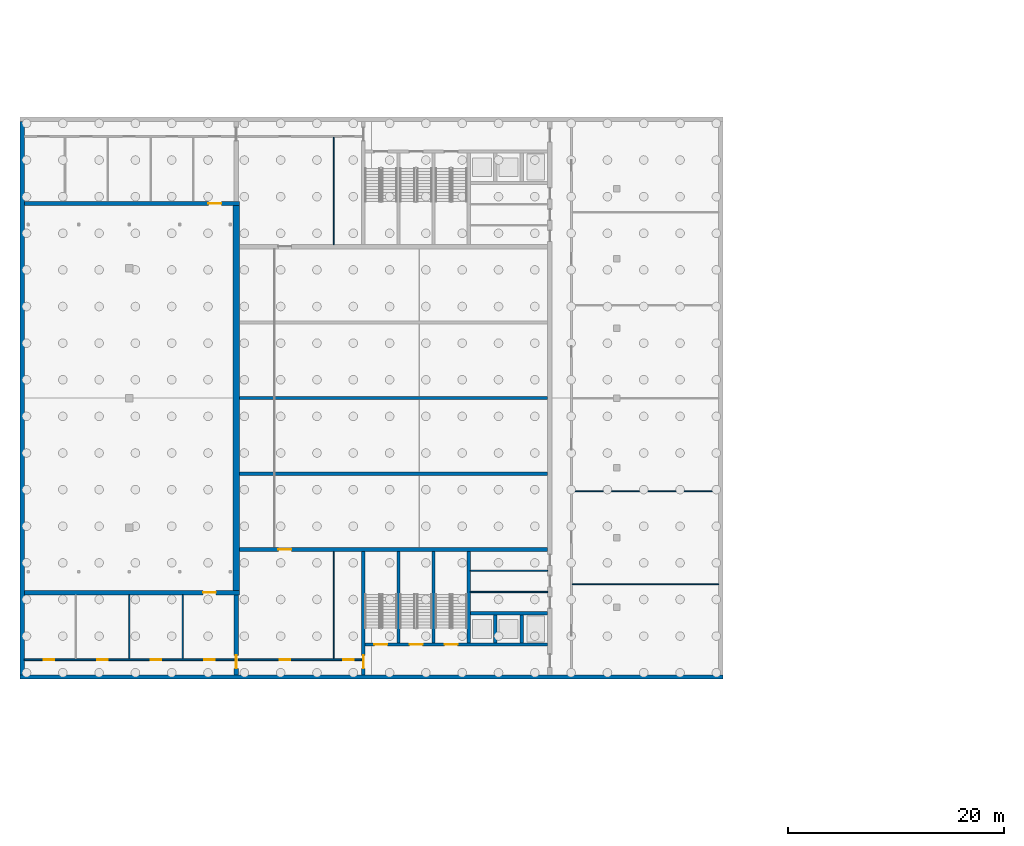
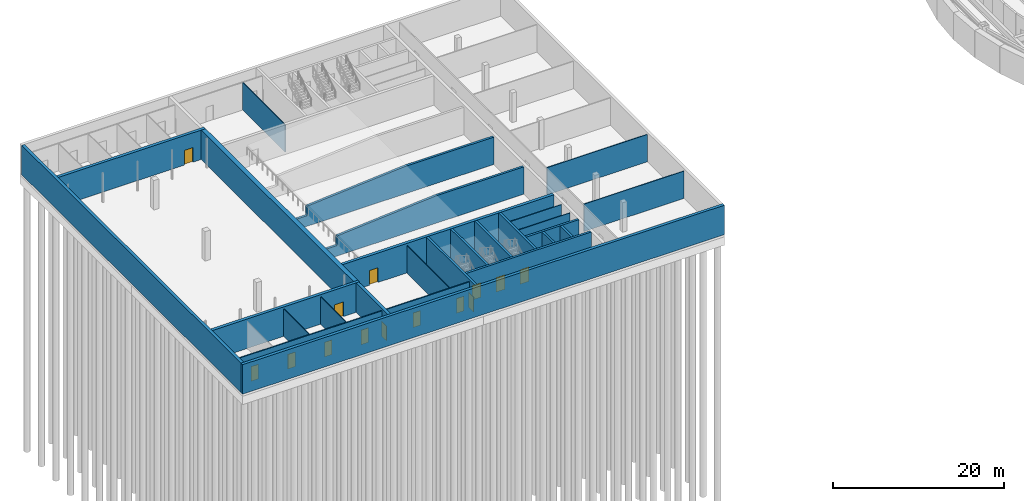
# One storey, part 11 of 32: 27 walls, 14 doors, 14 openings.
"""IFC4 building model written with IfcOpenShell, lengths in metres."""

from ifc_helpers import new_model, si_unit, direction, frame, frame_2d, origin, place, context, subcontext, project, spatial, polyline, rectangle, outline, extrude, material, layer, layer_set, type_object, element, fill, save


model = new_model("IFC4")

# Units and contexts
model_context = context("Model", 3, precision=1e-05, world=origin(), true_north=direction((0.0, 1.0)))
body_context = subcontext(model_context, "Body", "Model", "MODEL_VIEW")
ifc_project = project(units=[si_unit("LENGTHUNIT", "METRE"), si_unit("AREAUNIT", "SQUARE_METRE"), si_unit("VOLUMEUNIT", "CUBIC_METRE"), si_unit("PLANEANGLEUNIT", "RADIAN"), si_unit("MASSUNIT", "GRAM", prefix="KILO")], contexts=[model_context])

# Site, building, storey
site_placement = place(None, origin())
site = spatial("IfcSite", under=ifc_project, at=site_placement, CompositionType="ELEMENT")
building_placement = place(site_placement, origin())
building = spatial("IfcBuilding", under=site, at=building_placement, Name="Noorbagh Ring Tower", CompositionType="ELEMENT")
storey_placement = place(building_placement, frame((0.0, 0.0, -4.199951171875)))
storey = spatial("IfcBuildingStorey", under=building, at=storey_placement, Name="B1", CompositionType="ELEMENT", Elevation=-4.199951171875)

# Walls
ifc_material_1 = material(Name="Gypsum board on steel studs", Category="steel")
ifc_layer_1 = layer(ifc_material_1, 0.10009765625)
ifc_layer_set_1 = layer_set([ifc_layer_1], Name="Gypsum board on steel studs")
wall_type_1 = type_object("IfcWallType", Name="TH-PART-100", PredefinedType="PARTITIONING", material=ifc_layer_set_1)
wall_1_placement = place(storey_placement, frame((-118.35009765625, -12.93310546875, 0.0), z_axis=(0.0, 0.0, 1.0), x_axis=(1.0, 0.0, 0.0)))
element("IfcWall", 1, at=wall_1_placement, inside=storey, type_object=wall_type_1, Name="B1/th-wall/030", PredefinedType="PARTITIONING", context=body_context, shape_type="SweptSolid", body=[
    extrude(rectangle(XDim=7.150146484375, YDim=0.10009765625, at=frame_2d((3.5751953125, 0.0))), origin(), (0.0, 0.0, 1.0), 3.89990234375),
])
wall_2_placement = place(storey_placement, frame((-108.925048828125, -12.199951171875, 0.0), z_axis=(0.0, 0.0, 1.0), x_axis=(1.0, 0.0, 0.0)))
element("IfcWall", 2, at=wall_2_placement, inside=storey, type_object=wall_type_1, Name="B1/th-wall/031", PredefinedType="PARTITIONING", context=body_context, shape_type="SweptSolid", body=[
    extrude(rectangle(XDim=13.525146484375, YDim=0.10009765625, at=frame_2d((6.7626953125, 0.0))), origin(), (0.0, 0.0, 1.0), 3.89990234375),
])
wall_3_placement = place(storey_placement, frame((-118.35009765625, -10.967041015625, 0.0), z_axis=(0.0, 0.0, 1.0), x_axis=(1.0, 0.0, 0.0)))
element("IfcWall", 3, at=wall_3_placement, inside=storey, type_object=wall_type_1, Name="B1/th-wall/032", PredefinedType="PARTITIONING", context=body_context, shape_type="SweptSolid", body=[
    extrude(rectangle(XDim=7.150146484375, YDim=0.10009765625, at=frame_2d((3.5751953125, 0.0))), origin(), (0.0, 0.0, 1.0), 3.89990234375),
])
wall_4_placement = place(storey_placement, frame((-108.925048828125, -3.60009765625, 0.0), z_axis=(0.0, 0.0, 1.0), x_axis=(1.0, 0.0, 0.0)))
element("IfcWall", 4, at=wall_4_placement, inside=storey, type_object=wall_type_1, Name="B1/th-wall/033", PredefinedType="PARTITIONING", context=body_context, shape_type="SweptSolid", body=[
    extrude(rectangle(XDim=13.525146484375, YDim=0.10009765625, at=frame_2d((6.7626953125, 0.0))), origin(), (0.0, 0.0, 1.0), 3.89990234375),
])
for number, where, z_axis, x_axis, name in (
    (5, (-149.89990234375, -19.125, 0.0), (0.0, 0.0, 1.0), (0.0, 1.0, 0.0), "B1/th-wall/044"),
    (6, (-144.949951171875, -19.125, 0.0), (0.0, 0.0, 1.0), (0.0, 1.0, 0.0), "B1/th-wall/046"),
):
    element("IfcWall", number, at=place(storey_placement, frame(where, z_axis=z_axis, x_axis=x_axis)), inside=storey, type_object=wall_type_1, Name=name, PredefinedType="PARTITIONING", context=body_context, shape_type="SweptSolid", body=[
        extrude(rectangle(XDim=5.925048828125, YDim=0.10009765625, at=frame_2d((2.96240234375, 0.0))), origin(), (0.0, 0.0, 1.0), 3.89990234375),
    ])
for number, where, z_axis, x_axis, name in (
    (7, (-131.0, -19.125, 0.0), (0.0, 0.0, 1.0), (0.0, 1.0, 0.0), "B1/th-wall/048"),
    (8, (-131.0, 19.199951171875, 0.0), (0.0, 0.0, 1.0), (0.0, 1.0, 0.0), "B1/th-wall/049"),
):
    element("IfcWall", number, at=place(storey_placement, frame(where, z_axis=z_axis, x_axis=x_axis)), inside=storey, type_object=wall_type_1, Name=name, PredefinedType="PARTITIONING", context=body_context, shape_type="SweptSolid", body=[
        extrude(rectangle(XDim=9.925048828125, YDim=0.10009765625, at=frame_2d((4.96240234375, 0.0))), origin(), (0.0, 0.0, 1.0), 3.89990234375),
    ])

# Wall, openings, doors
ifc_material_2 = material(Name="Gypsum board on steel studs", Category="steel")
ifc_layer_2 = layer(ifc_material_2, 0.14990234375)
ifc_layer_set_2 = layer_set([ifc_layer_2], Name="Gypsum board on steel studs")
wall_type_2 = type_object("IfcWallType", Name="TH-PART-150", PredefinedType="PARTITIONING", material=ifc_layer_set_2)
wall_5_placement = place(storey_placement, frame((-159.60009765625, -19.199951171875, 0.0), z_axis=(0.0, 0.0, 1.0), x_axis=(1.0, 0.0, 0.0)))
wall_5 = element("IfcWall", 9, at=wall_5_placement, inside=storey, type_object=wall_type_2, Name="B1/th-wall/028", PredefinedType="PARTITIONING", context=body_context, shape_type="SweptSolid", body=[
    extrude(rectangle(XDim=19.400146484375, YDim=0.14990234375, at=frame_2d((9.7001953125, 0.0))), origin(), (0.0, 0.0, 1.0), 3.89990234375),
])
opening_1_placement = place(wall_5_placement, frame((1.77490234375, 0.0, 0.0)))
opening_1 = element("IfcOpeningElement", 10, at=opening_1_placement, cuts=wall_5, Name="Opening TB1-D01", PredefinedType="OPENING", context=body_context, shape_type="SweptSolid", body=[
    extrude(rectangle(XDim=1.0, YDim=2.10009765625, at=frame_2d((0.5, 1.050048828125))), frame((0.0, 0.0849609375, 0.0), z_axis=(0.0, -1.0, 0.0), x_axis=(1.0, 0.0, 0.0)), (0.0, 0.0, 1.0), 0.169921875),
])
opening_2_placement = place(wall_5_placement, frame((6.72509765625, 0.0, 0.0)))
opening_2 = element("IfcOpeningElement", 11, at=opening_2_placement, cuts=wall_5, Name="Opening TB1-D02", PredefinedType="OPENING", context=body_context, shape_type="SweptSolid", body=[
    extrude(rectangle(XDim=1.0, YDim=2.10009765625, at=frame_2d((0.5, 1.050048828125))), frame((0.0, 0.0849609375, 0.0), z_axis=(0.0, -1.0, 0.0), x_axis=(1.0, 0.0, 0.0)), (0.0, 0.0, 1.0), 0.169921875),
])
opening_3_placement = place(wall_5_placement, frame((11.675048828125, 0.0, 0.0)))
opening_3 = element("IfcOpeningElement", 12, at=opening_3_placement, cuts=wall_5, Name="Opening TB1-D03", PredefinedType="OPENING", context=body_context, shape_type="SweptSolid", body=[
    extrude(rectangle(XDim=1.0, YDim=2.10009765625, at=frame_2d((0.5, 1.050048828125))), frame((0.0, 0.0849609375, 0.0), z_axis=(0.0, -1.0, 0.0), x_axis=(1.0, 0.0, 0.0)), (0.0, 0.0, 1.0), 0.169921875),
])
opening_4_placement = place(wall_5_placement, frame((16.625, 0.0, 0.0)))
opening_4 = element("IfcOpeningElement", 13, at=opening_4_placement, cuts=wall_5, Name="Opening TB1-D04", PredefinedType="OPENING", context=body_context, shape_type="SweptSolid", body=[
    extrude(rectangle(XDim=1.0, YDim=2.10009765625, at=frame_2d((0.5, 1.050048828125))), frame((0.0, 0.0849609375, 0.0), z_axis=(0.0, -1.0, 0.0), x_axis=(1.0, 0.0, 0.0)), (0.0, 0.0, 1.0), 0.169921875),
])
ifc_material_3 = material(Name="Timber", Category="wood")
door_type_1 = type_object("IfcDoorType", Name="TH-DOOR-1000", OperationType="SINGLE_SWING_LEFT", PredefinedType="DOOR", material=ifc_material_3)
door_1_placement = place(opening_1_placement, origin())
door_1 = element("IfcDoor", 14, at=door_1_placement, inside=storey, type_object=door_type_1, Name="Door Corridor to Chair store TB1-D01", OperationType="SINGLE_SWING_RIGHT", OverallHeight=2.10009765625, OverallWidth=1.0, PredefinedType="DOOR", context=body_context, shape_type="SweptSolid", body=[
    extrude(rectangle(XDim=1.0, YDim=2.10009765625, at=frame_2d((0.5, 1.050048828125))), frame((0.0, 0.02490234375, 0.0), z_axis=(0.0, -1.0, 0.0), x_axis=(1.0, 0.0, 0.0)), (0.0, 0.0, 1.0), 0.050048828125),
])
fill(opening_1, door_1)
door_2_placement = place(opening_2_placement, origin())
door_2 = element("IfcDoor", 15, at=door_2_placement, inside=storey, type_object=door_type_1, Name="Door Corridor to Scenery store TB1-D02", OperationType="SINGLE_SWING_RIGHT", OverallHeight=2.10009765625, OverallWidth=1.0, PredefinedType="DOOR", context=body_context, shape_type="SweptSolid", body=[
    extrude(rectangle(XDim=1.0, YDim=2.10009765625, at=frame_2d((0.5, 1.050048828125))), frame((0.0, 0.02490234375, 0.0), z_axis=(0.0, -1.0, 0.0), x_axis=(1.0, 0.0, 0.0)), (0.0, 0.0, 1.0), 0.050048828125),
])
fill(opening_2, door_2)
door_3_placement = place(opening_3_placement, origin())
door_3 = element("IfcDoor", 16, at=door_3_placement, inside=storey, type_object=door_type_1, Name="Door Corridor to Property store TB1-D03", OperationType="SINGLE_SWING_LEFT", OverallHeight=2.10009765625, OverallWidth=1.0, PredefinedType="DOOR", context=body_context, shape_type="SweptSolid", body=[
    extrude(rectangle(XDim=1.0, YDim=2.10009765625, at=frame_2d((0.5, 1.050048828125))), frame((0.0, 0.02490234375, 0.0), z_axis=(0.0, -1.0, 0.0), x_axis=(1.0, 0.0, 0.0)), (0.0, 0.0, 1.0), 0.050048828125),
])
fill(opening_3, door_3)
ifc_material_4 = material(Name="Steel", Category="steel")
door_type_2 = type_object("IfcDoorType", Name="TH-DOOR-FIRE-1000", OperationType="SINGLE_SWING_LEFT", PredefinedType="DOOR", material=ifc_material_4)
door_4_placement = place(opening_4_placement, origin())
door_4 = element("IfcDoor", 17, at=door_4_placement, inside=storey, type_object=door_type_2, Name="Door Corridor to Understage access lobby TB1-D04", OperationType="SINGLE_SWING_LEFT", OverallHeight=2.10009765625, OverallWidth=1.0, PredefinedType="DOOR", context=body_context, shape_type="SweptSolid", body=[
    extrude(rectangle(XDim=1.0, YDim=2.10009765625, at=frame_2d((0.5, 1.050048828125))), frame((0.0, 0.02490234375, 0.0), z_axis=(0.0, -1.0, 0.0), x_axis=(1.0, 0.0, 0.0)), (0.0, 0.0, 1.0), 0.050048828125),
])
fill(opening_4, door_4)

wall_6_placement = place(storey_placement, frame((-139.800048828125, -19.199951171875, 0.0), z_axis=(0.0, 0.0, 1.0), x_axis=(1.0, 0.0, 0.0)))
wall_6 = element("IfcWall", 18, at=wall_6_placement, inside=storey, type_object=wall_type_2, Name="B1/th-wall/029", PredefinedType="PARTITIONING", context=body_context, shape_type="SweptSolid", body=[
    extrude(rectangle(XDim=11.400146484375, YDim=0.14990234375, at=frame_2d((5.7001953125, 0.0))), origin(), (0.0, 0.0, 1.0), 3.89990234375),
])
opening_5_placement = place(wall_6_placement, frame((3.800048828125, 0.0, 0.0)))
opening_5 = element("IfcOpeningElement", 19, at=opening_5_placement, cuts=wall_6, Name="Opening TB1-D05", PredefinedType="OPENING", context=body_context, shape_type="SweptSolid", body=[
    extrude(rectangle(XDim=1.0, YDim=2.10009765625, at=frame_2d((0.5, 1.050048828125))), frame((0.0, 0.0849609375, 0.0), z_axis=(0.0, -1.0, 0.0), x_axis=(1.0, 0.0, 0.0)), (0.0, 0.0, 1.0), 0.169921875),
])
opening_6_placement = place(wall_6_placement, frame((9.675048828125, 0.0, 0.0)))
opening_6 = element("IfcOpeningElement", 20, at=opening_6_placement, cuts=wall_6, Name="Opening TB1-D06", PredefinedType="OPENING", context=body_context, shape_type="SweptSolid", body=[
    extrude(rectangle(XDim=1.0, YDim=2.10009765625, at=frame_2d((0.5, 1.050048828125))), frame((0.0, 0.0849609375, 0.0), z_axis=(0.0, -1.0, 0.0), x_axis=(1.0, 0.0, 0.0)), (0.0, 0.0, 1.0), 0.169921875),
])
door_5_placement = place(opening_5_placement, origin())
door_5 = element("IfcDoor", 21, at=door_5_placement, inside=storey, type_object=door_type_2, Name="Door Corridor to Hydraulic pump room TB1-D05", OperationType="SINGLE_SWING_RIGHT", OverallHeight=2.10009765625, OverallWidth=1.0, PredefinedType="DOOR", context=body_context, shape_type="SweptSolid", body=[
    extrude(rectangle(XDim=1.0, YDim=2.10009765625, at=frame_2d((0.5, 1.050048828125))), frame((0.0, 0.02490234375, 0.0), z_axis=(0.0, -1.0, 0.0), x_axis=(1.0, 0.0, 0.0)), (0.0, 0.0, 1.0), 0.050048828125),
])
fill(opening_5, door_5)
door_6_placement = place(opening_6_placement, origin())
door_6 = element("IfcDoor", 22, at=door_6_placement, inside=storey, type_object=door_type_2, Name="Door Corridor to Switch room TB1-D06", OperationType="SINGLE_SWING_LEFT", OverallHeight=2.10009765625, OverallWidth=1.0, PredefinedType="DOOR", context=body_context, shape_type="SweptSolid", body=[
    extrude(rectangle(XDim=1.0, YDim=2.10009765625, at=frame_2d((0.5, 1.050048828125))), frame((0.0, 0.02490234375, 0.0), z_axis=(0.0, -1.0, 0.0), x_axis=(1.0, 0.0, 0.0)), (0.0, 0.0, 1.0), 0.050048828125),
])
fill(opening_6, door_6)

# Wall, opening, door
ifc_material_5 = material(Name="Concrete C50/60", Category="concrete")
ifc_layer_3 = layer(ifc_material_5, 0.300048828125)
ifc_layer_set_3 = layer_set([ifc_layer_3], Name="Concrete C50/60")
wall_type_3 = type_object("IfcWallType", Name="TH-WALL-CORE", PredefinedType="SHEAR", material=ifc_layer_set_3)
wall_7_placement = place(storey_placement, frame((-128.25, -20.60009765625, 0.0), z_axis=(0.0, 0.0, 1.0), x_axis=(0.0, 1.0, 0.0)))
wall_7 = element("IfcWall", 23, at=wall_7_placement, inside=storey, type_object=wall_type_3, Name="Core wall", PredefinedType="SHEAR", context=body_context, shape_type="SweptSolid", body=[
    extrude(rectangle(XDim=11.400146484375, YDim=0.300048828125, at=frame_2d((5.7001953125, 0.0))), origin(), (0.0, 0.0, 1.0), 4.199951171875),
])
opening_7_placement = place(wall_7_placement, frame((0.60009765625, 0.0, 0.0)))
opening_7 = element("IfcOpeningElement", 24, at=opening_7_placement, cuts=wall_7, Name="Opening TB1-D08", PredefinedType="OPENING", context=body_context, shape_type="SweptSolid", body=[
    extrude(rectangle(XDim=1.199951171875, YDim=2.10009765625, at=frame_2d((0.60009765625, 1.050048828125))), frame((0.0, 0.16015625, 0.0), z_axis=(0.0, -1.0, 0.0), x_axis=(1.0, 0.0, 0.0)), (0.0, 0.0, 1.0), 0.320068359375),
])
ifc_material_6 = material(Name="Steel", Category="steel")
door_type_3 = type_object("IfcDoorType", Name="TH-DOOR-FIRE-1200", OperationType="SINGLE_SWING_LEFT", PredefinedType="DOOR", material=ifc_material_6)
door_7_placement = place(opening_7_placement, origin())
door_7 = element("IfcDoor", 25, at=door_7_placement, inside=storey, type_object=door_type_3, Name="Door Corridor to Exit lobby TB1-D08", OperationType="SINGLE_SWING_LEFT", OverallHeight=2.10009765625, OverallWidth=1.199951171875, PredefinedType="DOOR", context=body_context, shape_type="SweptSolid", body=[
    extrude(rectangle(XDim=1.199951171875, YDim=2.10009765625, at=frame_2d((0.60009765625, 1.050048828125))), frame((0.0, 0.02490234375, 0.0), z_axis=(0.0, -1.0, 0.0), x_axis=(1.0, 0.0, 0.0)), (0.0, 0.0, 1.0), 0.050048828125),
])
fill(opening_7, door_7)

# Wall, openings, doors
wall_8_placement = place(storey_placement, frame((-128.10009765625, -17.800048828125, 0.0), z_axis=(0.0, 0.0, 1.0), x_axis=(1.0, 0.0, 0.0)))
wall_8 = element("IfcWall", 26, at=wall_8_placement, inside=storey, type_object=wall_type_3, Name="Exit lobby wall", PredefinedType="SHEAR", context=body_context, shape_type="SweptSolid", body=[
    extrude(rectangle(XDim=16.900146484375, YDim=0.300048828125, at=frame_2d((8.4501953125, 0.0))), origin(), (0.0, 0.0, 1.0), 4.199951171875),
])
opening_8_placement = place(wall_8_placement, frame((4.125, 0.0, 0.0)))
opening_8 = element("IfcOpeningElement", 27, at=opening_8_placement, cuts=wall_8, Name="Opening TB1-D09", PredefinedType="OPENING", context=body_context, shape_type="SweptSolid", body=[
    extrude(rectangle(XDim=1.199951171875, YDim=2.10009765625, at=frame_2d((0.60009765625, 1.050048828125))), frame((0.0, 0.16015625, 0.0), z_axis=(0.0, -1.0, 0.0), x_axis=(1.0, 0.0, 0.0)), (0.0, 0.0, 1.0), 0.320068359375),
])
opening_9_placement = place(wall_8_placement, frame((7.375, 0.0, 0.0)))
opening_9 = element("IfcOpeningElement", 28, at=opening_9_placement, cuts=wall_8, Name="Opening TB1-D10", PredefinedType="OPENING", context=body_context, shape_type="SweptSolid", body=[
    extrude(rectangle(XDim=1.199951171875, YDim=2.10009765625, at=frame_2d((0.60009765625, 1.050048828125))), frame((0.0, 0.16015625, 0.0), z_axis=(0.0, -1.0, 0.0), x_axis=(1.0, 0.0, 0.0)), (0.0, 0.0, 1.0), 0.320068359375),
])
opening_10_placement = place(wall_8_placement, frame((0.875, 0.0, 0.0)))
opening_10 = element("IfcOpeningElement", 29, at=opening_10_placement, cuts=wall_8, Name="Opening TB1-D11", PredefinedType="OPENING", context=body_context, shape_type="SweptSolid", body=[
    extrude(rectangle(XDim=1.199951171875, YDim=2.10009765625, at=frame_2d((0.60009765625, 1.050048828125))), frame((0.0, 0.16015625, 0.0), z_axis=(0.0, -1.0, 0.0), x_axis=(1.0, 0.0, 0.0)), (0.0, 0.0, 1.0), 0.320068359375),
])
ifc_material_7 = material(Name="Steel", Category="steel")
door_type_4 = type_object("IfcDoorType", Name="TH-DOOR-STAIR-1200", OperationType="SINGLE_SWING_LEFT", PredefinedType="DOOR", material=ifc_material_7)
door_8_placement = place(opening_8_placement, origin())
door_8 = element("IfcDoor", 30, at=door_8_placement, inside=storey, type_object=door_type_4, Name="Door Exit lobby to Exit stair S1 TB1-D09", OperationType="SINGLE_SWING_RIGHT", OverallHeight=2.10009765625, OverallWidth=1.199951171875, PredefinedType="DOOR", context=body_context, shape_type="SweptSolid", body=[
    extrude(rectangle(XDim=1.199951171875, YDim=2.10009765625, at=frame_2d((0.60009765625, 1.050048828125))), frame((0.0, 0.02490234375, 0.0), z_axis=(0.0, -1.0, 0.0), x_axis=(1.0, 0.0, 0.0)), (0.0, 0.0, 1.0), 0.050048828125),
])
fill(opening_8, door_8)
door_9_placement = place(opening_9_placement, origin())
door_9 = element("IfcDoor", 31, at=door_9_placement, inside=storey, type_object=door_type_4, Name="Door Exit lobby to Exit stair S2 TB1-D10", OperationType="SINGLE_SWING_RIGHT", OverallHeight=2.10009765625, OverallWidth=1.199951171875, PredefinedType="DOOR", context=body_context, shape_type="SweptSolid", body=[
    extrude(rectangle(XDim=1.199951171875, YDim=2.10009765625, at=frame_2d((0.60009765625, 1.050048828125))), frame((0.0, 0.02490234375, 0.0), z_axis=(0.0, -1.0, 0.0), x_axis=(1.0, 0.0, 0.0)), (0.0, 0.0, 1.0), 0.050048828125),
])
fill(opening_9, door_9)
door_10_placement = place(opening_10_placement, origin())
door_10 = element("IfcDoor", 32, at=door_10_placement, inside=storey, type_object=door_type_4, Name="Door Exit lobby to Exit stair S3 TB1-D11", OperationType="SINGLE_SWING_RIGHT", OverallHeight=2.10009765625, OverallWidth=1.199951171875, PredefinedType="DOOR", context=body_context, shape_type="SweptSolid", body=[
    extrude(rectangle(XDim=1.199951171875, YDim=2.10009765625, at=frame_2d((0.60009765625, 1.050048828125))), frame((0.0, 0.02490234375, 0.0), z_axis=(0.0, -1.0, 0.0), x_axis=(1.0, 0.0, 0.0)), (0.0, 0.0, 1.0), 0.050048828125),
])
fill(opening_10, door_10)

# Walls
for number, where, z_axis, x_axis, name in (
    (33, (-125.0, -17.64990234375, 0.0), (0.0, 0.0, 1.0), (0.0, 1.0, 0.0), "Stair wall"),
    (34, (-121.75, -17.64990234375, 0.0), (0.0, 0.0, 1.0), (0.0, 1.0, 0.0), "Stair wall"),
    (35, (-118.5, -17.64990234375, 0.0), (0.0, 0.0, 1.0), (0.0, 1.0, 0.0), "Stair wall"),
):
    element("IfcWall", number, at=place(storey_placement, frame(where, z_axis=z_axis, x_axis=x_axis)), inside=storey, type_object=wall_type_3, Name=name, PredefinedType="SHEAR", context=body_context, shape_type="SweptSolid", body=[
        extrude(rectangle(XDim=8.449951171875, YDim=0.300048828125, at=frame_2d((4.22509765625, 0.0))), origin(), (0.0, 0.0, 1.0), 4.199951171875),
    ])
wall_9_placement = place(storey_placement, frame((-118.35009765625, -14.89990234375, 0.0), z_axis=(0.0, 0.0, 1.0), x_axis=(1.0, 0.0, 0.0)))
element("IfcWall", 36, at=wall_9_placement, inside=storey, type_object=wall_type_3, Name="Lift shaft wall", PredefinedType="SHEAR", context=body_context, shape_type="SweptSolid", body=[
    extrude(rectangle(XDim=7.150146484375, YDim=0.300048828125, at=frame_2d((3.5751953125, 0.0))), origin(), (0.0, 0.0, 1.0), 4.199951171875),
])
for number, where, z_axis, x_axis, name in (
    (37, (-116.050048828125, -17.64990234375, 0.0), (0.0, 0.0, 1.0), (0.0, 1.0, 0.0), "Lift shaft wall"),
    (38, (-113.60009765625, -17.64990234375, 0.0), (0.0, 0.0, 1.0), (0.0, 1.0, 0.0), "Lift shaft wall"),
):
    element("IfcWall", number, at=place(storey_placement, frame(where, z_axis=z_axis, x_axis=x_axis)), inside=storey, type_object=wall_type_3, Name=name, PredefinedType="SHEAR", context=body_context, shape_type="SweptSolid", body=[
        extrude(rectangle(XDim=2.599853515625, YDim=0.300048828125, at=frame_2d((1.2998046875, 0.0))), origin(), (0.0, 0.0, 1.0), 4.199951171875),
    ])

# Wall, opening, door
ifc_material_8 = material(Name="Concrete C50/60", Category="concrete")
ifc_layer_4 = layer(ifc_material_8, 0.39990234375)
ifc_layer_set_4 = layer_set([ifc_layer_4], Name="Concrete C50/60")
wall_type_4 = type_object("IfcWallType", Name="TH-WALL-HALL", PredefinedType="SOLIDWALL", material=ifc_layer_set_4)
wall_10_placement = place(storey_placement, frame((-139.699951171875, -9.0, 0.0), z_axis=(0.0, 0.0, 1.0), x_axis=(1.0, 0.0, 0.0)))
wall_10 = element("IfcWall", 39, at=wall_10_placement, inside=storey, type_object=wall_type_4, Name="Auditorium wall south", PredefinedType="SOLIDWALL", context=body_context, shape_type="SweptSolid", body=[
    extrude(rectangle(XDim=28.5, YDim=0.39990234375, at=frame_2d((14.25, 0.0))), origin(), (0.0, 0.0, 1.0), 4.199951171875),
])
opening_11_placement = place(wall_10_placement, frame((3.60009765625, 0.0, 0.0)))
opening_11 = element("IfcOpeningElement", 40, at=opening_11_placement, cuts=wall_10, Name="Opening TB1-D26", PredefinedType="OPENING", context=body_context, shape_type="SweptSolid", body=[
    extrude(rectangle(XDim=1.199951171875, YDim=2.10009765625, at=frame_2d((0.60009765625, 1.050048828125))), frame((0.0, 0.2099609375, 0.0), z_axis=(0.0, -1.0, 0.0), x_axis=(1.0, 0.0, 0.0)), (0.0, 0.0, 1.0), 0.419921875),
])
door_11_placement = place(opening_11_placement, origin())
door_11 = element("IfcDoor", 41, at=door_11_placement, inside=storey, type_object=door_type_3, Name="Door Hydraulic pump room to Auditorium air plenum TB1-D26", OperationType="SINGLE_SWING_RIGHT", OverallHeight=2.10009765625, OverallWidth=1.199951171875, PredefinedType="DOOR", context=body_context, shape_type="SweptSolid", body=[
    extrude(rectangle(XDim=1.199951171875, YDim=2.10009765625, at=frame_2d((0.60009765625, 1.050048828125))), frame((0.0, 0.02490234375, 0.0), z_axis=(0.0, -1.0, 0.0), x_axis=(1.0, 0.0, 0.0)), (0.0, 0.0, 1.0), 0.050048828125),
])
fill(opening_11, door_11)

ifc_material_9 = material(Name="Concrete C40/50", Category="concrete")
ifc_layer_5 = layer(ifc_material_9, 0.39990234375)
ifc_layer_set_5 = layer_set([ifc_layer_5], Name="Concrete C40/50")
wall_type_5 = type_object("IfcWallType", Name="TH-WALL-INNER", PredefinedType="SOLIDWALL", material=ifc_layer_set_5)
wall_11_placement = place(storey_placement, frame((-140.0, -20.60009765625, 0.0), z_axis=(0.0, 0.0, 1.0), x_axis=(0.0, 1.0, 0.0)))
wall_11 = element("IfcWall", 42, at=wall_11_placement, inside=storey, type_object=wall_type_5, Name="Stage block wall", PredefinedType="SOLIDWALL", context=body_context, shape_type="SweptSolid", body=[
    extrude(rectangle(XDim=7.400146484375, YDim=0.39990234375, at=frame_2d((3.7001953125, 0.0))), origin(), (0.0, 0.0, 1.0), 4.199951171875),
])
opening_12_placement = place(wall_11_placement, frame((0.60009765625, 0.0, 0.0)))
opening_12 = element("IfcOpeningElement", 43, at=opening_12_placement, cuts=wall_11, Name="Opening TB1-D07", PredefinedType="OPENING", context=body_context, shape_type="SweptSolid", body=[
    extrude(rectangle(XDim=1.199951171875, YDim=2.10009765625, at=frame_2d((0.60009765625, 1.050048828125))), frame((0.0, 0.2099609375, 0.0), z_axis=(0.0, -1.0, 0.0), x_axis=(1.0, 0.0, 0.0)), (0.0, 0.0, 1.0), 0.419921875),
])
ifc_material_10 = material(Name="Timber", Category="wood")
door_type_5 = type_object("IfcDoorType", Name="TH-DOOR-1200", OperationType="SINGLE_SWING_LEFT", PredefinedType="DOOR", material=ifc_material_10)
door_12_placement = place(opening_12_placement, origin())
door_12 = element("IfcDoor", 44, at=door_12_placement, inside=storey, type_object=door_type_5, Name="Door Corridor to Corridor TB1-D07", OperationType="SINGLE_SWING_LEFT", OverallHeight=2.10009765625, OverallWidth=1.199951171875, PredefinedType="DOOR", context=body_context, shape_type="SweptSolid", body=[
    extrude(rectangle(XDim=1.199951171875, YDim=2.10009765625, at=frame_2d((0.60009765625, 1.050048828125))), frame((0.0, 0.02490234375, 0.0), z_axis=(0.0, -1.0, 0.0), x_axis=(1.0, 0.0, 0.0)), (0.0, 0.0, 1.0), 0.050048828125),
])
fill(opening_12, door_12)

wall_12_placement = place(storey_placement, frame((-159.60009765625, -13.0, 0.0), z_axis=(0.0, 0.0, 1.0), x_axis=(1.0, 0.0, 0.0)))
wall_12 = element("IfcWall", 45, at=wall_12_placement, inside=storey, type_object=wall_type_5, Name="Stage house wall south", PredefinedType="SOLIDWALL", context=body_context, shape_type="SweptSolid", body=[
    extrude(rectangle(XDim=19.900146484375, YDim=0.39990234375, at=frame_2d((9.9501953125, 0.0))), origin(), (0.0, 0.0, 1.0), 4.199951171875),
])
opening_13_placement = place(wall_12_placement, frame((16.52490234375, 0.0, 0.0)))
opening_13 = element("IfcOpeningElement", 46, at=opening_13_placement, cuts=wall_12, Name="Opening TB1-D24", PredefinedType="OPENING", context=body_context, shape_type="SweptSolid", body=[
    extrude(rectangle(XDim=1.199951171875, YDim=2.10009765625, at=frame_2d((0.60009765625, 1.050048828125))), frame((0.0, 0.2099609375, 0.0), z_axis=(0.0, -1.0, 0.0), x_axis=(1.0, 0.0, 0.0)), (0.0, 0.0, 1.0), 0.419921875),
])
door_13_placement = place(opening_13_placement, origin())
door_13 = element("IfcDoor", 47, at=door_13_placement, inside=storey, type_object=door_type_3, Name="Door Understage access lobby to Understage trap room TB1-D24", OperationType="SINGLE_SWING_LEFT", OverallHeight=2.10009765625, OverallWidth=1.199951171875, PredefinedType="DOOR", context=body_context, shape_type="SweptSolid", body=[
    extrude(rectangle(XDim=1.199951171875, YDim=2.10009765625, at=frame_2d((0.60009765625, 1.050048828125))), frame((0.0, 0.02490234375, 0.0), z_axis=(0.0, -1.0, 0.0), x_axis=(1.0, 0.0, 0.0)), (0.0, 0.0, 1.0), 0.050048828125),
])
fill(opening_13, door_13)

wall_13_placement = place(storey_placement, frame((-159.60009765625, 23.0, 0.0), z_axis=(0.0, 0.0, 1.0), x_axis=(1.0, 0.0, 0.0)))
wall_13 = element("IfcWall", 48, at=wall_13_placement, inside=storey, type_object=wall_type_5, Name="Stage house wall north", PredefinedType="SOLIDWALL", context=body_context, shape_type="SweptSolid", body=[
    extrude(rectangle(XDim=19.900146484375, YDim=0.39990234375, at=frame_2d((9.9501953125, 0.0))), origin(), (0.0, 0.0, 1.0), 4.199951171875),
])
opening_14_placement = place(wall_13_placement, frame((17.02001953125, 0.0, 0.0)))
opening_14 = element("IfcOpeningElement", 49, at=opening_14_placement, cuts=wall_13, Name="Opening TB1-D25", PredefinedType="OPENING", context=body_context, shape_type="SweptSolid", body=[
    extrude(rectangle(XDim=1.199951171875, YDim=2.10009765625, at=frame_2d((0.60009765625, 1.050048828125))), frame((0.0, 0.2099609375, 0.0), z_axis=(0.0, -1.0, 0.0), x_axis=(1.0, 0.0, 0.0)), (0.0, 0.0, 1.0), 0.419921875),
])
door_14_placement = place(opening_14_placement, origin())
door_14 = element("IfcDoor", 50, at=door_14_placement, inside=storey, type_object=door_type_3, Name="Door Understage access lobby north to Understage trap room TB1-D25", OperationType="SINGLE_SWING_RIGHT", OverallHeight=2.10009765625, OverallWidth=1.199951171875, PredefinedType="DOOR", context=body_context, shape_type="SweptSolid", body=[
    extrude(rectangle(XDim=1.199951171875, YDim=2.10009765625, at=frame_2d((0.60009765625, 1.050048828125))), frame((0.0, 0.02490234375, 0.0), z_axis=(0.0, -1.0, 0.0), x_axis=(1.0, 0.0, 0.0)), (0.0, 0.0, 1.0), 0.050048828125),
])
fill(opening_14, door_14)

# Walls
ifc_material_11 = material(Name="Concrete C40/50", Category="concrete")
ifc_layer_6 = layer(ifc_material_11, 0.39990234375)
ifc_layer_set_6 = layer_set([ifc_layer_6], Name="Concrete C40/50")
wall_type_6 = type_object("IfcWallType", Name="TH-WALL-OUTER", PredefinedType="SOLIDWALL", material=ifc_layer_set_6)
wall_14_placement = place(storey_placement, frame((-160.0, -20.800048828125, 0.0), z_axis=(0.0, 0.0, 1.0), x_axis=(1.0, 0.0, 0.0)))
element("IfcWall", 51, at=wall_14_placement, inside=storey, type_object=wall_type_6, Name="Outer wall south", PredefinedType="SOLIDWALL", context=body_context, shape_type="SweptSolid", body=[
    extrude(rectangle(XDim=65.0, YDim=0.39990234375, at=frame_2d((32.5, 0.0))), origin(), (0.0, 0.0, 1.0), 4.199951171875),
])
wall_15_placement = place(storey_placement, frame((-159.800048828125, -20.60009765625, 0.0), z_axis=(0.0, 0.0, 1.0), x_axis=(0.0, 1.0, 0.0)))
element("IfcWall", 52, at=wall_15_placement, inside=storey, type_object=wall_type_6, Name="Outer wall west", PredefinedType="SOLIDWALL", context=body_context, shape_type="SweptSolid", body=[
    extrude(rectangle(XDim=51.2001953125, YDim=0.39990234375, at=frame_2d((25.60009765625, 0.0))), origin(), (0.0, 0.0, 1.0), 4.199951171875),
])
ifc_material_12 = material(Name="Concrete C50/60", Category="concrete")
ifc_layer_7 = layer(ifc_material_12, 0.60009765625)
ifc_layer_set_7 = layer_set([ifc_layer_7], Name="Concrete C50/60")
wall_type_7 = type_object("IfcWallType", Name="TH-WALL-PROSC", PredefinedType="SOLIDWALL", material=ifc_layer_set_7)
wall_16_placement = place(storey_placement, frame((-140.0, -12.800048828125, 0.0), z_axis=(0.0, 0.0, 1.0), x_axis=(0.0, 1.0, 0.0)))
element("IfcWall", 53, at=wall_16_placement, inside=storey, type_object=wall_type_7, Name="Proscenium wall", PredefinedType="SOLIDWALL", context=body_context, shape_type="SweptSolid", body=[
    extrude(rectangle(XDim=35.60009765625, YDim=0.60009765625, at=frame_2d((17.800048828125, 0.0))), origin(), (0.0, 0.0, 1.0), 4.199951171875),
])
ifc_material_13 = material(Name="Concrete C40/50", Category="concrete")
ifc_layer_8 = layer(ifc_material_13, 0.300048828125)
ifc_layer_set_8 = layer_set([ifc_layer_8], Name="Concrete C40/50")
wall_type_8 = type_object("IfcWallType", Name="TH-WALL-RAKER", PredefinedType="SOLIDWALL", material=ifc_layer_set_8)
for number, where, z_axis, x_axis, name in (
    (54, (-139.699951171875, -2.0, 0.0), (0.0, 0.0, 1.0), (1.0, 0.0, 0.0), "Raker wall 1"),
    (55, (-139.699951171875, 5.0, 0.0), (0.0, 0.0, 1.0), (1.0, 0.0, 0.0), "Raker wall 2"),
):
    element("IfcWall", number, at=place(storey_placement, frame(where, z_axis=z_axis, x_axis=x_axis)), inside=storey, type_object=wall_type_8, Name=name, PredefinedType="SOLIDWALL", context=body_context, shape_type="SweptSolid", body=[
        extrude(outline(polyline([(0.0, 0.0), (28.5, 0.0), (28.5, 3.89990234375), (16.60107421875, 3.89990234375), (16.60009765625, 3.899169921875), (3.301025390625, 2.84912109375), (3.300048828125, 1.5), (0.0, 1.5), (0.0, 0.0)])), frame((0.0, 0.14990234375, 0.0), z_axis=(0.0, -1.0, 0.0), x_axis=(1.0, 0.0, 0.0)), (0.0, 0.0, 1.0), 0.300048828125),
    ])

save(model, "model.ifc")
